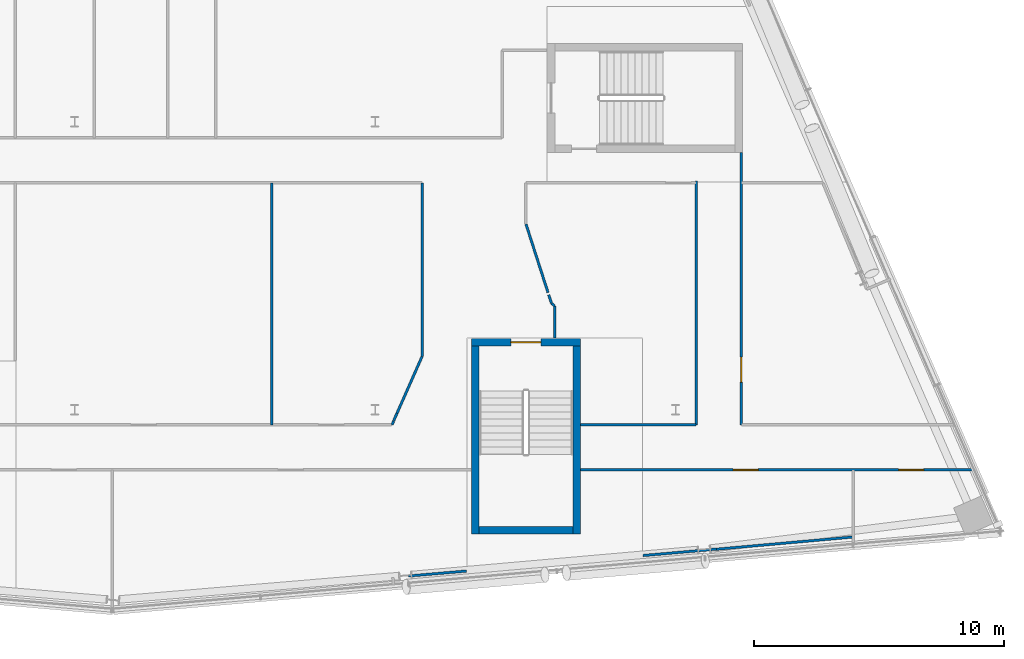
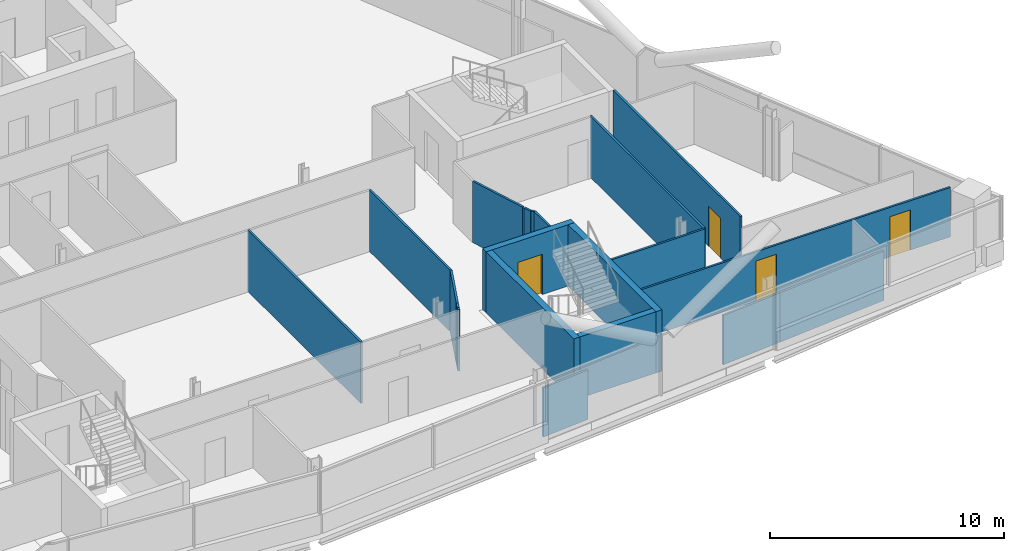
# One storey, part 17 of 27: 20 walls, 4 doors, 4 openings.
"""IFC4 building model written with IfcOpenShell, lengths in metres."""

from ifc_helpers import new_model, si_unit, direction, frame, frame_2d, origin, place, context, subcontext, project, spatial, rectangle, extrude, material, layer, layer_set, type_object, element, fill, save


model = new_model("IFC4")

# Units and contexts
model_context = context("Model", 3, precision=1e-05, world=origin(), true_north=direction((0.0, 1.0)))
body_context = subcontext(model_context, "Body", "Model", "MODEL_VIEW")
ifc_project = project(units=[si_unit("LENGTHUNIT", "METRE"), si_unit("AREAUNIT", "SQUARE_METRE"), si_unit("VOLUMEUNIT", "CUBIC_METRE"), si_unit("PLANEANGLEUNIT", "RADIAN"), si_unit("MASSUNIT", "GRAM", prefix="KILO")], contexts=[model_context])

# Site, building, storey
site_placement = place(None, origin())
site = spatial("IfcSite", under=ifc_project, at=site_placement, CompositionType="ELEMENT")
building_placement = place(site_placement, origin())
building = spatial("IfcBuilding", under=site, at=building_placement, Name="Wharfspan Tower", CompositionType="ELEMENT")
storey_placement = place(building_placement, frame((0.0, 0.0, 243.100098)))
storey = spatial("IfcBuildingStorey", under=building, at=storey_placement, Name="L61", CompositionType="ELEMENT", Elevation=243.100098)

# Walls
ifc_material_1 = material(Name="Gypsum board on steel studs", Category="steel")
ifc_layer_1 = layer(ifc_material_1, 0.100098)
ifc_layer_set_1 = layer_set([ifc_layer_1], Name="Gypsum board on steel studs")
wall_type_1 = type_object("IfcWallType", Name="Compartment wall 100 EI 60", PredefinedType="PARTITIONING", material=ifc_layer_set_1)
wall_1_placement = place(storey_placement, frame((55.875, 10.89502, 0.0), z_axis=(0.0, 0.0, 1.0), x_axis=(0.0, 1.0, 0.0)))
element("IfcWall", 1, at=wall_1_placement, inside=storey, type_object=wall_type_1, Name="Partition L61.w039", PredefinedType="PARTITIONING", context=body_context, shape_type="SweptSolid", body=[
    extrude(rectangle(XDim=9.659912, YDim=0.100098, at=frame_2d((4.830078, 0.0))), origin(), (0.0, 0.0, 1.0), 3.199951),
])
wall_2_placement = place(storey_placement, frame((60.669922, 10.899902, 0.0), z_axis=(0.0, 0.0, 1.0), x_axis=(0.409983, 0.912097, 0.0)))
element("IfcWall", 2, at=wall_2_placement, inside=storey, type_object=wall_type_1, Name="Partition L61.w041", PredefinedType="PARTITIONING", context=body_context, shape_type="SweptSolid", body=[
    extrude(rectangle(XDim=0.158936, YDim=0.100098, at=frame_2d((0.07959, 0.0))), origin(), (0.0, 0.0, 1.0), 3.199951),
])
wall_3_placement = place(storey_placement, frame((60.735107, 11.054932, 0.0), z_axis=(0.0, 0.0, 1.0), x_axis=(0.404577, 0.914505, 0.0)))
element("IfcWall", 3, at=wall_3_placement, inside=storey, type_object=wall_type_1, Name="Partition L61.w043", PredefinedType="PARTITIONING", context=body_context, shape_type="SweptSolid", body=[
    extrude(rectangle(XDim=0.33374, YDim=0.100098, at=frame_2d((0.166992, 0.0))), origin(), (0.0, 0.0, 1.0), 3.199951),
])
wall_4_placement = place(storey_placement, frame((60.870117, 11.360107, 0.0), z_axis=(0.0, 0.0, 1.0), x_axis=(0.403903, 0.914797, 0.0)))
element("IfcWall", 4, at=wall_4_placement, inside=storey, type_object=wall_type_1, Name="Partition L61.w044", PredefinedType="PARTITIONING", context=body_context, shape_type="SweptSolid", body=[
    extrude(rectangle(XDim=2.47583, YDim=0.100098, at=frame_2d((1.237793, 0.0))), origin(), (0.0, 0.0, 1.0), 3.199951),
])
wall_5_placement = place(storey_placement, frame((61.870117, 13.625, 0.0), z_axis=(0.0, 0.0, 1.0), x_axis=(0.0, 1.0, 0.0)))
element("IfcWall", 5, at=wall_5_placement, inside=storey, type_object=wall_type_1, Name="Partition L61.w046", PredefinedType="PARTITIONING", context=body_context, shape_type="SweptSolid", body=[
    extrude(rectangle(XDim=6.929932, YDim=0.100098, at=frame_2d((3.464844, 0.0))), origin(), (0.0, 0.0, 1.0), 3.199951),
])
wall_6_placement = place(storey_placement, frame((66.899902, 16.179932, 0.0), z_axis=(0.0, 0.0, 1.0), x_axis=(-0.306242, 0.95195, 0.0)))
element("IfcWall", 6, at=wall_6_placement, inside=storey, type_object=wall_type_1, Name="Partition L61.w051", PredefinedType="PARTITIONING", context=body_context, shape_type="SweptSolid", body=[
    extrude(rectangle(XDim=2.873047, YDim=0.100098, at=frame_2d((1.436523, 0.0))), origin(), (0.0, 0.0, 1.0), 3.199951),
])
wall_7_placement = place(storey_placement, frame((67.040039, 15.745117, 0.0), z_axis=(0.0, 0.0, 1.0), x_axis=(-0.304065, 0.952647, 0.0)))
element("IfcWall", 7, at=wall_7_placement, inside=storey, type_object=wall_type_1, Name="Partition L61.w052", PredefinedType="PARTITIONING", context=body_context, shape_type="SweptSolid", body=[
    extrude(rectangle(XDim=0.362061, YDim=0.100098, at=frame_2d((0.181152, 0.0))), origin(), (0.0, 0.0, 1.0), 3.199951),
])
wall_8_placement = place(storey_placement, frame((67.165039, 15.64502, 0.0), z_axis=(0.0, 0.0, 1.0), x_axis=(-0.780569, 0.625065, 0.0)))
element("IfcWall", 8, at=wall_8_placement, inside=storey, type_object=wall_type_1, Name="Partition L61.w053", PredefinedType="PARTITIONING", context=body_context, shape_type="SweptSolid", body=[
    extrude(rectangle(XDim=0.160156, YDim=0.100098, at=frame_2d((0.080078, 0.0))), origin(), (0.0, 0.0, 1.0), 3.199951),
])
wall_9_placement = place(storey_placement, frame((67.169922, 14.366211, 0.0), z_axis=(0.0, 0.0, 1.0), x_axis=(0.0, 1.0, 0.0)))
element("IfcWall", 9, at=wall_9_placement, inside=storey, type_object=wall_type_1, Name="Partition L61.w054", PredefinedType="PARTITIONING", context=body_context, shape_type="SweptSolid", body=[
    extrude(rectangle(XDim=1.278809, YDim=0.100098, at=frame_2d((0.639404, 0.0))), origin(), (0.0, 0.0, 1.0), 3.199951),
])

# Wall, openings, doors
wall_10_placement = place(storey_placement, frame((68.193848, 9.094971, 0.0), z_axis=(0.0, 0.0, 1.0), x_axis=(1.0, 0.0, 0.0)))
wall_10 = element("IfcWall", 10, at=wall_10_placement, inside=storey, type_object=wall_type_1, Name="Partition L61.w055", PredefinedType="PARTITIONING", context=body_context, shape_type="SweptSolid", body=[
    extrude(rectangle(XDim=15.699463, YDim=0.100098, at=frame_2d((7.849609, 0.0))), origin(), (0.0, 0.0, 1.0), 2.579834),
])
opening_1_placement = place(wall_10_placement, frame((6.096191, 0.0, 0.0)))
opening_1 = element("IfcOpeningElement", 11, at=opening_1_placement, cuts=wall_10, Name="Opening D5-05", PredefinedType="OPENING", context=body_context, shape_type="SweptSolid", body=[
    extrude(rectangle(XDim=1.0, YDim=2.100098, at=frame_2d((0.5, 1.050049))), frame((0.0, 0.060059, 0.0), z_axis=(0.0, -1.0, 0.0), x_axis=(1.0, 0.0, 0.0)), (0.0, 0.0, 1.0), 0.120117),
])
opening_2_placement = place(wall_10_placement, frame((12.711182, 0.0, 0.0)))
opening_2 = element("IfcOpeningElement", 12, at=opening_2_placement, cuts=wall_10, Name="Opening D5-06", PredefinedType="OPENING", context=body_context, shape_type="SweptSolid", body=[
    extrude(rectangle(XDim=1.0, YDim=2.100098, at=frame_2d((0.5, 1.050049))), frame((0.0, 0.060059, 0.0), z_axis=(0.0, -1.0, 0.0), x_axis=(1.0, 0.0, 0.0)), (0.0, 0.0, 1.0), 0.120117),
])
ifc_material_2 = material(Name="Fire-rated timber door leaf in steel frame", Category="steel")
door_type_1 = type_object("IfcDoorType", Name="Door 1000 FD30S Left", OperationType="SINGLE_SWING_LEFT", PredefinedType="DOOR", material=ifc_material_2)
door_1_placement = place(opening_1_placement, origin())
door_1 = element("IfcDoor", 13, at=door_1_placement, inside=storey, type_object=door_type_1, Name="Door D5-05", OperationType="SINGLE_SWING_LEFT", OverallHeight=2.100098, OverallWidth=1.0, PredefinedType="DOOR", context=body_context, shape_type="SweptSolid", body=[
    extrude(rectangle(XDim=1.0, YDim=2.100098, at=frame_2d((0.5, 1.050049))), frame((0.0, 0.024902, 0.0), z_axis=(0.0, -1.0, 0.0), x_axis=(1.0, 0.0, 0.0)), (0.0, 0.0, 1.0), 0.050049),
])
fill(opening_1, door_1)
door_type_2 = type_object("IfcDoorType", Name="Door 1000 FD30S Right", OperationType="SINGLE_SWING_RIGHT", PredefinedType="DOOR", material=ifc_material_2)
door_2_placement = place(opening_2_placement, origin())
door_2 = element("IfcDoor", 14, at=door_2_placement, inside=storey, type_object=door_type_2, Name="Door D5-06", OperationType="SINGLE_SWING_RIGHT", OverallHeight=2.100098, OverallWidth=1.0, PredefinedType="DOOR", context=body_context, shape_type="SweptSolid", body=[
    extrude(rectangle(XDim=1.0, YDim=2.100098, at=frame_2d((0.5, 1.050049))), frame((0.0, 0.024902, 0.0), z_axis=(0.0, -1.0, 0.0), x_axis=(1.0, 0.0, 0.0)), (0.0, 0.0, 1.0), 0.050049),
])
fill(opening_2, door_2)

# Walls
wall_11_placement = place(storey_placement, frame((68.193848, 10.89502, 0.0), z_axis=(0.0, 0.0, 1.0), x_axis=(1.0, 0.0, 0.0)))
element("IfcWall", 15, at=wall_11_placement, inside=storey, type_object=wall_type_1, Name="Partition L61.w056", PredefinedType="PARTITIONING", context=body_context, shape_type="SweptSolid", body=[
    extrude(rectangle(XDim=4.621094, YDim=0.100098, at=frame_2d((2.310547, 0.0))), origin(), (0.0, 0.0, 1.0), 3.199951),
])
wall_12_placement = place(storey_placement, frame((72.814941, 10.899902, 0.0), z_axis=(0.0, 0.0, 1.0), x_axis=(0.0, 1.0, 0.0)))
element("IfcWall", 16, at=wall_12_placement, inside=storey, type_object=wall_type_1, Name="Partition L61.w058", PredefinedType="PARTITIONING", context=body_context, shape_type="SweptSolid", body=[
    extrude(rectangle(XDim=9.725098, YDim=0.100098, at=frame_2d((4.862549, 0.0))), origin(), (0.0, 0.0, 1.0), 3.199951),
])

# Wall, opening, door
wall_13_placement = place(storey_placement, frame((74.620117, 10.89502, 0.0), z_axis=(0.0, 0.0, 1.0), x_axis=(0.0, 1.0, 0.0)))
wall_13 = element("IfcWall", 17, at=wall_13_placement, inside=storey, type_object=wall_type_1, Name="Partition L61.w061", PredefinedType="PARTITIONING", context=body_context, shape_type="SweptSolid", body=[
    extrude(rectangle(XDim=10.879883, YDim=0.100098, at=frame_2d((5.439941, 0.0))), origin(), (0.0, 0.0, 1.0), 3.199951),
])
opening_3_placement = place(wall_13_placement, frame((1.702881, 0.0, 0.0)))
opening_3 = element("IfcOpeningElement", 18, at=opening_3_placement, cuts=wall_13, Name="Opening D5-10", PredefinedType="OPENING", context=body_context, shape_type="SweptSolid", body=[
    extrude(rectangle(XDim=1.0, YDim=2.100098, at=frame_2d((0.5, 1.050049))), frame((0.0, 0.060059, 0.0), z_axis=(0.0, -1.0, 0.0), x_axis=(1.0, 0.0, 0.0)), (0.0, 0.0, 1.0), 0.120117),
])
door_3_placement = place(opening_3_placement, origin())
door_3 = element("IfcDoor", 19, at=door_3_placement, inside=storey, type_object=door_type_1, Name="Door D5-10", OperationType="SINGLE_SWING_LEFT", OverallHeight=2.100098, OverallWidth=1.0, PredefinedType="DOOR", context=body_context, shape_type="SweptSolid", body=[
    extrude(rectangle(XDim=1.0, YDim=2.100098, at=frame_2d((0.5, 1.050049))), frame((0.0, 0.024902, 0.0), z_axis=(0.0, -1.0, 0.0), x_axis=(1.0, 0.0, 0.0)), (0.0, 0.0, 1.0), 0.050049),
])
fill(opening_3, door_3)

# Walls
ifc_layer_2 = layer(ifc_material_1, 0.100098)
ifc_layer_set_2 = layer_set([ifc_layer_2], Name="Gypsum board on steel studs")
wall_type_2 = type_object("IfcWallType", Name="Partition 100", PredefinedType="PARTITIONING", material=ifc_layer_set_2)
wall_14_placement = place(storey_placement, frame((61.334961, 4.860107, 0.0), z_axis=(0.0, 0.0, 1.0), x_axis=(0.996359, 0.085264, 0.0)))
element("IfcWall", 20, at=wall_14_placement, inside=storey, type_object=wall_type_2, Name="Partition L61.w045", PredefinedType="PARTITIONING", context=body_context, shape_type="SweptSolid", body=[
    extrude(rectangle(XDim=2.322266, YDim=0.100098, at=frame_2d((1.161133, 0.0))), origin(), (0.0, 0.0, 1.0), 2.579834),
])
wall_15_placement = place(storey_placement, frame((70.688721, 5.676514, 0.0), z_axis=(0.0, 0.0, 1.0), x_axis=(0.996174, 0.087417, 0.0)))
element("IfcWall", 21, at=wall_15_placement, inside=storey, type_object=wall_type_2, Name="Partition L61.w057", PredefinedType="PARTITIONING", context=body_context, shape_type="SweptSolid", body=[
    extrude(rectangle(XDim=2.95752, YDim=0.100098, at=frame_2d((1.47876, 0.0))), origin(), (0.0, 0.0, 1.0), 2.579834),
])
wall_16_placement = place(storey_placement, frame((73.63501, 5.929932, 0.0), z_axis=(0.0, 0.0, 1.0), x_axis=(0.996013, 0.089228, 0.0)))
element("IfcWall", 22, at=wall_16_placement, inside=storey, type_object=wall_type_2, Name="Partition L61.w059", PredefinedType="PARTITIONING", context=body_context, shape_type="SweptSolid", body=[
    extrude(rectangle(XDim=5.436768, YDim=0.100098, at=frame_2d((2.718262, 0.0))), origin(), (0.0, 0.0, 1.0), 2.579834),
])

# Wall, opening, door
ifc_material_3 = material(Name="Concrete C40/50", Category="concrete")
ifc_layer_3 = layer(ifc_material_3, 0.300049)
ifc_layer_set_3 = layer_set([ifc_layer_3], Name="Concrete C40/50")
wall_type_3 = type_object("IfcWallType", Name="Stair core wall 300", PredefinedType="SHEAR", material=ifc_layer_set_3)
wall_17_placement = place(storey_placement, frame((63.84375, 14.196289, 0.0), z_axis=(0.0, 0.0, 1.0), x_axis=(1.0, 0.0, 0.0)))
wall_17 = element("IfcWall", 23, at=wall_17_placement, inside=storey, type_object=wall_type_3, Name="ST5 stair enclosure wall L61", PredefinedType="SHEAR", context=body_context, shape_type="SweptSolid", body=[
    extrude(rectangle(XDim=4.350098, YDim=0.300049, at=frame_2d((2.175049, 0.0))), origin(), (0.0, 0.0, 1.0), 3.199951),
])
opening_4_placement = place(wall_17_placement, frame((1.574951, 0.0, 0.0)))
opening_4 = element("IfcOpeningElement", 24, at=opening_4_placement, cuts=wall_17, Name="Opening SD5.L61", PredefinedType="OPENING", context=body_context, shape_type="SweptSolid", body=[
    extrude(rectangle(XDim=1.199951, YDim=2.100098, at=frame_2d((0.600098, 1.050049))), frame((0.0, 0.159912, 0.0), z_axis=(0.0, -1.0, 0.0), x_axis=(1.0, 0.0, 0.0)), (0.0, 0.0, 1.0), 0.320068),
])
ifc_material_4 = material(Name="Steel door leaf", Category="steel")
door_type_3 = type_object("IfcDoorType", Name="Stair door 1200x2100", OperationType="SINGLE_SWING_LEFT", PredefinedType="DOOR", material=ifc_material_4)
door_4_placement = place(opening_4_placement, origin())
door_4 = element("IfcDoor", 25, at=door_4_placement, inside=storey, type_object=door_type_3, Name="sd:L61:ST5z4", OperationType="SINGLE_SWING_RIGHT", OverallHeight=2.100098, OverallWidth=1.199951, PredefinedType="DOOR", context=body_context, shape_type="SweptSolid", body=[
    extrude(rectangle(XDim=1.199951, YDim=2.100098, at=frame_2d((0.600098, 1.050049))), frame((0.0, 0.024902, 0.0), z_axis=(0.0, -1.0, 0.0), x_axis=(1.0, 0.0, 0.0)), (0.0, 0.0, 1.0), 0.050049),
])
fill(opening_4, door_4)

# Walls
for number, where, z_axis, x_axis, name in (
    (26, (63.993896, 6.546143, 0.0), (0.0, 0.0, 1.0), (0.0, 1.0, 0.0), "ST5 stair enclosure wall L61"),
    (27, (68.043701, 6.546143, 0.0), (0.0, 0.0, 1.0), (0.0, 1.0, 0.0), "ST5 stair enclosure wall L61"),
):
    element("IfcWall", number, at=place(storey_placement, frame(where, z_axis=z_axis, x_axis=x_axis)), inside=storey, type_object=wall_type_3, Name=name, PredefinedType="SHEAR", context=body_context, shape_type="SweptSolid", body=[
        extrude(rectangle(XDim=7.5, YDim=0.300049, at=frame_2d((3.75, 0.0))), origin(), (0.0, 0.0, 1.0), 3.199951),
    ])
wall_18_placement = place(storey_placement, frame((64.143799, 6.696289, 0.0), z_axis=(0.0, 0.0, 1.0), x_axis=(1.0, 0.0, 0.0)))
element("IfcWall", 28, at=wall_18_placement, inside=storey, type_object=wall_type_3, Name="ST5 stair enclosure wall L61", PredefinedType="SHEAR", context=body_context, shape_type="SweptSolid", body=[
    extrude(rectangle(XDim=3.75, YDim=0.300049, at=frame_2d((1.875, 0.0))), origin(), (0.0, 0.0, 1.0), 3.199951),
])

save(model, "model.ifc")
